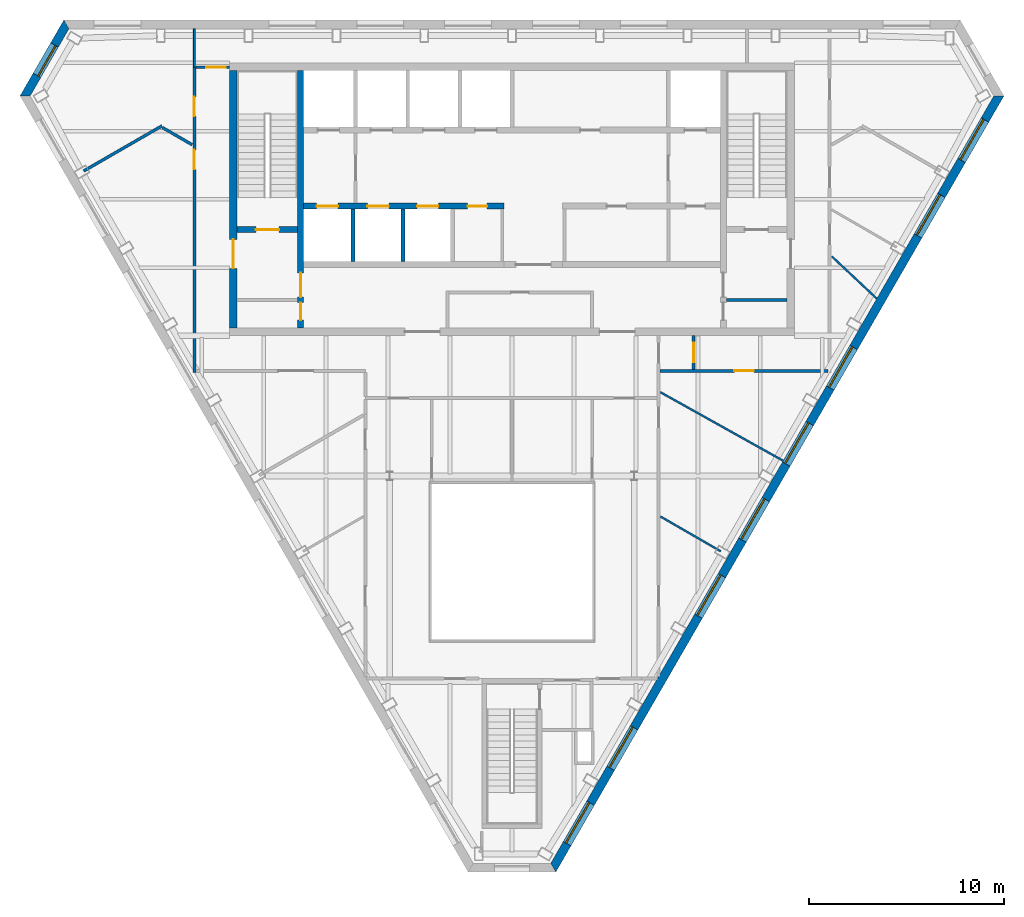
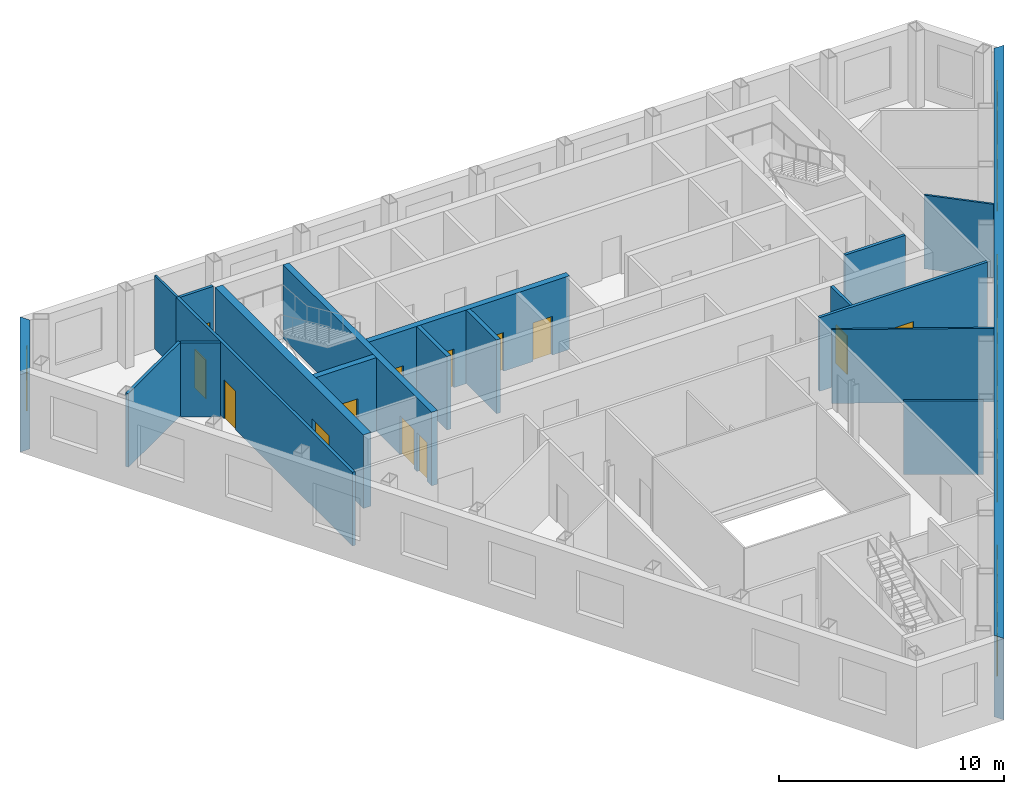
# One storey, part 6 of 11: 19 walls, 13 doors, 9 windows, 22 openings.
"""IFC4 building model written with IfcOpenShell, lengths in metres."""

from ifc_helpers import new_model, si_unit, direction, frame, frame_2d, origin, place, context, subcontext, project, spatial, polyline, rectangle, outline, extrude, material, layer, layer_set, type_object, element, fill, save


model = new_model("IFC4")

# Units and contexts
model_context = context("Model", 3, precision=1e-05, world=origin(), true_north=direction((0.0, 1.0)))
body_context = subcontext(model_context, "Body", "Model", "MODEL_VIEW")
ifc_project = project(units=[si_unit("LENGTHUNIT", "METRE"), si_unit("AREAUNIT", "SQUARE_METRE"), si_unit("VOLUMEUNIT", "CUBIC_METRE"), si_unit("PLANEANGLEUNIT", "RADIAN"), si_unit("MASSUNIT", "GRAM", prefix="KILO")], contexts=[model_context])

# Site, building, storey
site_placement = place(None, origin())
site = spatial("IfcSite", under=ifc_project, at=site_placement, CompositionType="ELEMENT")
building_placement = place(site_placement, origin())
building = spatial("IfcBuilding", under=site, at=building_placement, Name="Njiva Tower", CompositionType="ELEMENT")
storey_placement = place(building_placement, frame((0.0, 0.0, 316.8)))
storey = spatial("IfcBuildingStorey", under=building, at=storey_placement, Name="L72", CompositionType="ELEMENT", Elevation=316.8)

# Wall
ifc_material_1 = material(Name="Blockwork", Category="masonry")
ifc_layer_1 = layer(ifc_material_1, 0.15)
ifc_layer_set_1 = layer_set([ifc_layer_1], Name="Blockwork")
wall_type_1 = type_object("IfcWallType", Name="WT1 Compartment partition 150", PredefinedType="PARTITIONING", material=ifc_layer_set_1)
wall_1_placement = place(storey_placement, frame((11.0, 5.825, 0.0), z_axis=(0.0, 0.0, 1.0), x_axis=(1.0, 0.0, 0.0)))
element("IfcWall", 1, at=wall_1_placement, inside=storey, type_object=wall_type_1, Name="Room wall B", PredefinedType="PARTITIONING", context=body_context, shape_type="SweptSolid", body=[
    extrude(rectangle(XDim=3.1, YDim=0.15, at=frame_2d((1.55, 0.0))), origin(), (0.0, 0.0, 1.0), 4.0),
])

# Wall, openings, doors
ifc_material_2 = material(Name="Concrete C40/50", Category="concrete")
ifc_layer_2 = layer(ifc_material_2, 0.3)
ifc_layer_set_2 = layer_set([ifc_layer_2], Name="Concrete C40/50")
wall_type_2 = type_object("IfcWallType", Name="WT10 Stair enclosure wall 300", PredefinedType="SHEAR", material=ifc_layer_set_2)
wall_2_placement = place(storey_placement, frame((-10.85, 4.4, 0.0), z_axis=(0.0, 0.0, 1.0), x_axis=(0.0, 1.0, 0.0)))
wall_2 = element("IfcWall", 2, at=wall_2_placement, inside=storey, type_object=wall_type_2, Name="Stair wall west inner", PredefinedType="SHEAR", context=body_context, shape_type="SweptSolid", body=[
    extrude(rectangle(XDim=13.2, YDim=0.3, at=frame_2d((6.6, 0.0))), origin(), (0.0, 0.0, 1.0), 4.0),
])
opening_1_placement = place(wall_2_placement, frame((1.575, 0.0, 0.0)))
opening_1 = element("IfcOpeningElement", 3, at=opening_1_placement, cuts=wall_2, Name="Opening S24-D915", PredefinedType="OPENING", context=body_context, shape_type="SweptSolid", body=[
    extrude(rectangle(XDim=1.25, YDim=2.1, at=frame_2d((0.625, 1.05))), frame((0.0, 0.16, 0.0), z_axis=(0.0, -1.0, 0.0), x_axis=(1.0, 0.0, 0.0)), (0.0, 0.0, 1.0), 0.32),
])
opening_2_placement = place(wall_2_placement, frame((0.4, 0.0, 0.0)))
opening_2 = element("IfcOpeningElement", 4, at=opening_2_placement, cuts=wall_2, Name="Opening S24-D917", PredefinedType="OPENING", context=body_context, shape_type="SweptSolid", body=[
    extrude(rectangle(XDim=0.9, YDim=2.1, at=frame_2d((0.45, 1.05))), frame((0.0, 0.16, 0.0), z_axis=(0.0, -1.0, 0.0), x_axis=(1.0, 0.0, 0.0)), (0.0, 0.0, 1.0), 0.32),
])
ifc_material_3 = material(Name="Steel door, painted", Category="steel")
door_type_1 = type_object("IfcDoorType", Name="D13 Steel door 900x2100", OperationType="SINGLE_SWING_LEFT", PredefinedType="DOOR", material=ifc_material_3)
door_1_placement = place(opening_2_placement, origin())
door_1 = element("IfcDoor", 5, at=door_1_placement, inside=storey, type_object=door_type_1, Name="Breakout room door", OperationType="SINGLE_SWING_RIGHT", OverallHeight=2.1, OverallWidth=0.9, PredefinedType="DOOR", context=body_context, shape_type="SweptSolid", body=[
    extrude(rectangle(XDim=0.9, YDim=2.1, at=frame_2d((0.45, 1.05))), frame((0.0, 0.025, 0.0), z_axis=(0.0, -1.0, 0.0), x_axis=(1.0, 0.0, 0.0)), (0.0, 0.0, 1.0), 0.05),
])
fill(opening_2, door_1)
ifc_material_4 = material(Name="Glazed steel fire door", Category="steel")
door_type_2 = type_object("IfcDoorType", Name="D8 Vestibule corridor door 1250x2100 glazed", OperationType="SINGLE_SWING_LEFT", PredefinedType="DOOR", material=ifc_material_4)
door_2_placement = place(opening_1_placement, origin())
door_2 = element("IfcDoor", 6, at=door_2_placement, inside=storey, type_object=door_type_2, Name="Stair vestibule corridor door", OperationType="SINGLE_SWING_LEFT", OverallHeight=2.1, OverallWidth=1.25, PredefinedType="DOOR", context=body_context, shape_type="SweptSolid", body=[
    extrude(rectangle(XDim=1.25, YDim=2.1, at=frame_2d((0.625, 1.05))), frame((0.0, 0.025, 0.0), z_axis=(0.0, -1.0, 0.0), x_axis=(1.0, 0.0, 0.0)), (0.0, 0.0, 1.0), 0.05),
])
fill(opening_1, door_2)

# Wall, opening, door
wall_3_placement = place(storey_placement, frame((-14.1, 9.45, 0.0), z_axis=(0.0, 0.0, 1.0), x_axis=(1.0, 0.0, 0.0)))
wall_3 = element("IfcWall", 7, at=wall_3_placement, inside=storey, type_object=wall_type_2, Name="Stair A south wall", PredefinedType="SHEAR", context=body_context, shape_type="SweptSolid", body=[
    extrude(rectangle(XDim=3.1, YDim=0.3, at=frame_2d((1.55, 0.0))), origin(), (0.0, 0.0, 1.0), 4.0),
])
opening_3_placement = place(wall_3_placement, frame((0.95, 0.0, 0.0)))
opening_3 = element("IfcOpeningElement", 8, at=opening_3_placement, cuts=wall_3, Name="Opening S24-D914", PredefinedType="OPENING", context=body_context, shape_type="SweptSolid", body=[
    extrude(rectangle(XDim=1.2, YDim=2.1, at=frame_2d((0.6, 1.05))), frame((0.0, 0.16, 0.0), z_axis=(0.0, -1.0, 0.0), x_axis=(1.0, 0.0, 0.0)), (0.0, 0.0, 1.0), 0.32),
])
door_type_3 = type_object("IfcDoorType", Name="D7 Stair vestibule door 1200x2100 glazed", OperationType="SINGLE_SWING_LEFT", PredefinedType="DOOR", material=ifc_material_4)
door_3_placement = place(opening_3_placement, origin())
door_3 = element("IfcDoor", 9, at=door_3_placement, inside=storey, type_object=door_type_3, Name="Stair A door", OperationType="SINGLE_SWING_LEFT", OverallHeight=2.1, OverallWidth=1.2, PredefinedType="DOOR", context=body_context, shape_type="SweptSolid", body=[
    extrude(rectangle(XDim=1.2, YDim=2.1, at=frame_2d((0.6, 1.05))), frame((0.0, 0.025, 0.0), z_axis=(0.0, -1.0, 0.0), x_axis=(1.0, 0.0, 0.0)), (0.0, 0.0, 1.0), 0.05),
])
fill(opening_3, door_3)

ifc_material_5 = material(Name="Concrete C60/75", Category="concrete")
ifc_layer_3 = layer(ifc_material_5, 0.4)
ifc_layer_set_3 = layer_set([ifc_layer_3], Name="Concrete C60/75")
wall_type_3 = type_object("IfcWallType", Name="WT11 Core wall 400", PredefinedType="SHEAR", material=ifc_layer_set_3)
wall_4_placement = place(storey_placement, frame((-14.3, 4.4, 0.0), z_axis=(0.0, 0.0, 1.0), x_axis=(0.0, 1.0, 0.0)))
wall_4 = element("IfcWall", 10, at=wall_4_placement, inside=storey, type_object=wall_type_3, Name="Core wall west", PredefinedType="SHEAR", context=body_context, shape_type="SweptSolid", body=[
    extrude(rectangle(XDim=13.2, YDim=0.4, at=frame_2d((6.6, 0.0))), origin(), (0.0, 0.0, 1.0), 4.0),
])
opening_4_placement = place(wall_4_placement, frame((3.05, 0.0, 0.0)))
opening_4 = element("IfcOpeningElement", 11, at=opening_4_placement, cuts=wall_4, Name="Opening S24-D916", PredefinedType="OPENING", context=body_context, shape_type="SweptSolid", body=[
    extrude(rectangle(XDim=1.5, YDim=2.1, at=frame_2d((0.75, 1.05))), frame((0.0, 0.21, 0.0), z_axis=(0.0, -1.0, 0.0), x_axis=(1.0, 0.0, 0.0)), (0.0, 0.0, 1.0), 0.42),
])
door_type_4 = type_object("IfcDoorType", Name="D10 Exit door double 1500x2100 glazed", OperationType="DOUBLE_DOOR_SINGLE_SWING", PredefinedType="DOOR", material=ifc_material_4)
door_4_placement = place(opening_4_placement, origin())
door_4 = element("IfcDoor", 12, at=door_4_placement, inside=storey, type_object=door_type_4, Name="Stair A corridor door", OperationType="DOUBLE_DOOR_SINGLE_SWING", OverallHeight=2.1, OverallWidth=1.5, PredefinedType="DOOR", context=body_context, shape_type="SweptSolid", body=[
    extrude(rectangle(XDim=1.5, YDim=2.1, at=frame_2d((0.75, 1.05))), frame((0.0, 0.025, 0.0), z_axis=(0.0, -1.0, 0.0), x_axis=(1.0, 0.0, 0.0)), (0.0, 0.0, 1.0), 0.05),
])
fill(opening_4, door_4)

# Walls
ifc_material_6 = material(Name="Gypsum board on steel studs", Category="gypsum")
ifc_layer_4 = layer(ifc_material_6, 0.1)
ifc_layer_set_4 = layer_set([ifc_layer_4], Name="Gypsum board on steel studs")
wall_type_4 = type_object("IfcWallType", Name="WT20 Gypsum partition 100", PredefinedType="PARTITIONING", material=ifc_layer_set_4)
wall_5_placement = place(storey_placement, frame((-16.3, 17.788, 0.0), z_axis=(0.0, 0.0, 1.0), x_axis=(0.0, 1.0, 0.0)))
element("IfcWall", 13, at=wall_5_placement, inside=storey, type_object=wall_type_4, Name="Partition S24-P004", PredefinedType="PARTITIONING", context=body_context, shape_type="SweptSolid", body=[
    extrude(rectangle(XDim=1.96, YDim=0.1, at=frame_2d((0.98, 0.0))), origin(), (0.0, 0.0, 1.0), 4.0),
])
wall_6_placement = place(storey_placement, frame((7.619, 1.099, 0.0), z_axis=(0.0, 0.0, 1.0), x_axis=(0.873148302033, -0.487454657026, 0.0)))
element("IfcWall", 14, at=wall_6_placement, inside=storey, type_object=wall_type_4, Name="Partition S24-P022", PredefinedType="PARTITIONING", context=body_context, shape_type="SweptSolid", body=[
    extrude(rectangle(XDim=7.213, YDim=0.1, at=frame_2d((3.6065, 0.0))), origin(), (0.0, 0.0, 1.0), 4.0),
])
wall_7_placement = place(storey_placement, frame((7.62, -5.278, 0.0), z_axis=(0.0, 0.0, 1.0), x_axis=(0.866134332687, -0.499811282126, 0.0)))
element("IfcWall", 15, at=wall_7_placement, inside=storey, type_object=wall_type_4, Name="Partition S24-P023", PredefinedType="PARTITIONING", context=body_context, shape_type="SweptSolid", body=[
    extrude(rectangle(XDim=3.5733, YDim=0.1, at=frame_2d((1.7866, 0.0))), origin(), (0.0, 0.0, 1.0), 4.0),
])
wall_8_placement = place(storey_placement, frame((16.409, 8.073, 0.0), z_axis=(0.0, 0.0, 1.0), x_axis=(0.729143686078, -0.684360639614, 0.0)))
element("IfcWall", 16, at=wall_8_placement, inside=storey, type_object=wall_type_4, Name="Partition S24-P028", PredefinedType="PARTITIONING", context=body_context, shape_type="SweptSolid", body=[
    extrude(rectangle(XDim=3.1708, YDim=0.1, at=frame_2d((1.5854, 0.0))), origin(), (0.0, 0.0, 1.0), 4.0),
])
ifc_layer_5 = layer(ifc_material_6, 0.15)
ifc_layer_set_5 = layer_set([ifc_layer_5], Name="Gypsum board on steel studs")
wall_type_5 = type_object("IfcWallType", Name="WT21 Compartment wall 150", PredefinedType="PARTITIONING", material=ifc_layer_set_5)
wall_9_placement = place(storey_placement, frame((-21.982, 12.451, 0.0), z_axis=(0.0, 0.0, 1.0), x_axis=(0.866260894491, 0.499591896127, 0.0)))
element("IfcWall", 17, at=wall_9_placement, inside=storey, type_object=wall_type_5, Name="Partition S24-P001", PredefinedType="PARTITIONING", context=body_context, shape_type="SweptSolid", body=[
    extrude(rectangle(XDim=4.6418, YDim=0.15, at=frame_2d((2.3209, 0.0))), origin(), (0.0, 0.0, 1.0), 4.0),
])
wall_10_placement = place(storey_placement, frame((-17.937, 14.682, 0.0), z_axis=(0.0, 0.0, 1.0), x_axis=(0.866138304741, -0.499804398801, 0.0)))
element("IfcWall", 18, at=wall_10_placement, inside=storey, type_object=wall_type_5, Name="Partition S24-P002", PredefinedType="PARTITIONING", context=body_context, shape_type="SweptSolid", body=[
    extrude(rectangle(XDim=1.7607, YDim=0.15, at=frame_2d((0.8804, 0.0))), origin(), (0.0, 0.0, 1.0), 4.0),
])

# Wall, openings, doors
wall_11_placement = place(storey_placement, frame((-16.3, 2.125, 0.0), z_axis=(0.0, 0.0, 1.0), x_axis=(0.0, 1.0, 0.0)))
wall_11 = element("IfcWall", 19, at=wall_11_placement, inside=storey, type_object=wall_type_5, Name="Partition S24-P003", PredefinedType="PARTITIONING", context=body_context, shape_type="SweptSolid", body=[
    extrude(rectangle(XDim=15.663, YDim=0.15, at=frame_2d((7.8315, 0.0))), origin(), (0.0, 0.0, 1.0), 4.0),
])
opening_5_placement = place(wall_11_placement, frame((10.41, 0.0, 0.0)))
opening_5 = element("IfcOpeningElement", 20, at=opening_5_placement, cuts=wall_11, Name="Opening S24-D001", PredefinedType="OPENING", context=body_context, shape_type="SweptSolid", body=[
    extrude(rectangle(XDim=1.0, YDim=2.1, at=frame_2d((0.5, 1.05))), frame((0.0, 0.085, 0.0), z_axis=(0.0, -1.0, 0.0), x_axis=(1.0, 0.0, 0.0)), (0.0, 0.0, 1.0), 0.17),
])
opening_6_placement = place(wall_11_placement, frame((13.138, 0.0, 0.0)))
opening_6 = element("IfcOpeningElement", 21, at=opening_6_placement, cuts=wall_11, Name="Opening S24-D002", PredefinedType="OPENING", context=body_context, shape_type="SweptSolid", body=[
    extrude(rectangle(XDim=1.0, YDim=2.1, at=frame_2d((0.5, 1.05))), frame((0.0, 0.085, 0.0), z_axis=(0.0, -1.0, 0.0), x_axis=(1.0, 0.0, 0.0)), (0.0, 0.0, 1.0), 0.17),
])
ifc_material_7 = material(Name="Steel fire door set", Category="steel")
door_type_5 = type_object("IfcDoorType", Name="D37 Fire door 1000x2100", OperationType="SINGLE_SWING_LEFT", PredefinedType="DOOR", material=ifc_material_7)
door_5_placement = place(opening_5_placement, origin())
door_5 = element("IfcDoor", 22, at=door_5_placement, inside=storey, type_object=door_type_5, Name="Door S24-D001", OperationType="SINGLE_SWING_RIGHT", OverallHeight=2.1, OverallWidth=1.0, PredefinedType="DOOR", context=body_context, shape_type="SweptSolid", body=[
    extrude(rectangle(XDim=1.0, YDim=2.1, at=frame_2d((0.5, 1.05))), frame((0.0, 0.025, 0.0), z_axis=(0.0, -1.0, 0.0), x_axis=(1.0, 0.0, 0.0)), (0.0, 0.0, 1.0), 0.05),
])
fill(opening_5, door_5)
door_6_placement = place(opening_6_placement, origin())
door_6 = element("IfcDoor", 23, at=door_6_placement, inside=storey, type_object=door_type_5, Name="Door S24-D002", OperationType="SINGLE_SWING_LEFT", OverallHeight=2.1, OverallWidth=1.0, PredefinedType="DOOR", context=body_context, shape_type="SweptSolid", body=[
    extrude(rectangle(XDim=1.0, YDim=2.1, at=frame_2d((0.5, 1.05))), frame((0.0, 0.025, 0.0), z_axis=(0.0, -1.0, 0.0), x_axis=(1.0, 0.0, 0.0)), (0.0, 0.0, 1.0), 0.05),
])
fill(opening_6, door_6)

# Wall, opening, door
wall_12_placement = place(storey_placement, frame((-16.225, 17.776, 0.0), z_axis=(0.0, 0.0, 1.0), x_axis=(1.0, 0.0, 0.0)))
wall_12 = element("IfcWall", 24, at=wall_12_placement, inside=storey, type_object=wall_type_5, Name="Partition S24-P006", PredefinedType="PARTITIONING", context=body_context, shape_type="SweptSolid", body=[
    extrude(rectangle(XDim=1.725, YDim=0.15, at=frame_2d((0.8625, 0.0))), origin(), (0.0, 0.0, 1.0), 4.0),
])
opening_7_placement = place(wall_12_placement, frame((0.525, 0.0, 0.0)))
opening_7 = element("IfcOpeningElement", 25, at=opening_7_placement, cuts=wall_12, Name="Opening S24-D004", PredefinedType="OPENING", context=body_context, shape_type="SweptSolid", body=[
    extrude(rectangle(XDim=1.0, YDim=2.1, at=frame_2d((0.5, 1.05))), frame((0.0, 0.085, 0.0), z_axis=(0.0, -1.0, 0.0), x_axis=(1.0, 0.0, 0.0)), (0.0, 0.0, 1.0), 0.17),
])
door_7_placement = place(opening_7_placement, origin())
door_7 = element("IfcDoor", 26, at=door_7_placement, inside=storey, type_object=door_type_5, Name="Door S24-D004", OperationType="SINGLE_SWING_LEFT", OverallHeight=2.1, OverallWidth=1.0, PredefinedType="DOOR", context=body_context, shape_type="SweptSolid", body=[
    extrude(rectangle(XDim=1.0, YDim=2.1, at=frame_2d((0.5, 1.05))), frame((0.0, 0.025, 0.0), z_axis=(0.0, -1.0, 0.0), x_axis=(1.0, 0.0, 0.0)), (0.0, 0.0, 1.0), 0.05),
])
fill(opening_7, door_7)

wall_13_placement = place(storey_placement, frame((7.595, 2.2, 0.0), z_axis=(0.0, 0.0, 1.0), x_axis=(1.0, 0.0, 0.0)))
wall_13 = element("IfcWall", 27, at=wall_13_placement, inside=storey, type_object=wall_type_5, Name="Partition S24-P021", PredefinedType="PARTITIONING", context=body_context, shape_type="SweptSolid", body=[
    extrude(rectangle(XDim=8.63, YDim=0.15, at=frame_2d((4.315, 0.0))), origin(), (0.0, 0.0, 1.0), 4.0),
])
opening_8_placement = place(wall_13_placement, frame((3.815, 0.0, 0.0)))
opening_8 = element("IfcOpeningElement", 28, at=opening_8_placement, cuts=wall_13, Name="Opening S24-D016", PredefinedType="OPENING", context=body_context, shape_type="SweptSolid", body=[
    extrude(rectangle(XDim=1.0, YDim=2.1, at=frame_2d((0.5, 1.05))), frame((0.0, 0.085, 0.0), z_axis=(0.0, -1.0, 0.0), x_axis=(1.0, 0.0, 0.0)), (0.0, 0.0, 1.0), 0.17),
])
door_8_placement = place(opening_8_placement, origin())
door_8 = element("IfcDoor", 29, at=door_8_placement, inside=storey, type_object=door_type_5, Name="Door S24-D016", OperationType="SINGLE_SWING_LEFT", OverallHeight=2.1, OverallWidth=1.0, PredefinedType="DOOR", context=body_context, shape_type="SweptSolid", body=[
    extrude(rectangle(XDim=1.0, YDim=2.1, at=frame_2d((0.5, 1.05))), frame((0.0, 0.025, 0.0), z_axis=(0.0, -1.0, 0.0), x_axis=(1.0, 0.0, 0.0)), (0.0, 0.0, 1.0), 0.05),
])
fill(opening_8, door_8)

wall_14_placement = place(storey_placement, frame((9.32, 2.275, 0.0), z_axis=(0.0, 0.0, 1.0), x_axis=(0.0, 1.0, 0.0)))
wall_14 = element("IfcWall", 30, at=wall_14_placement, inside=storey, type_object=wall_type_5, Name="Partition S24-P024", PredefinedType="PARTITIONING", context=body_context, shape_type="SweptSolid", body=[
    extrude(rectangle(XDim=1.725, YDim=0.15, at=frame_2d((0.8625, 0.0))), origin(), (0.0, 0.0, 1.0), 4.0),
])
opening_9_placement = place(wall_14_placement, frame((0.362, 0.0, 0.0)))
opening_9 = element("IfcOpeningElement", 31, at=opening_9_placement, cuts=wall_14, Name="Opening S24-D017", PredefinedType="OPENING", context=body_context, shape_type="SweptSolid", body=[
    extrude(rectangle(XDim=1.0, YDim=2.1, at=frame_2d((0.5, 1.05))), frame((0.0, 0.085, 0.0), z_axis=(0.0, -1.0, 0.0), x_axis=(1.0, 0.0, 0.0)), (0.0, 0.0, 1.0), 0.17),
])
door_9_placement = place(opening_9_placement, origin())
door_9 = element("IfcDoor", 32, at=door_9_placement, inside=storey, type_object=door_type_5, Name="Door S24-D017", OperationType="SINGLE_SWING_LEFT", OverallHeight=2.1, OverallWidth=1.0, PredefinedType="DOOR", context=body_context, shape_type="SweptSolid", body=[
    extrude(rectangle(XDim=1.0, YDim=2.1, at=frame_2d((0.5, 1.05))), frame((0.0, 0.025, 0.0), z_axis=(0.0, -1.0, 0.0), x_axis=(1.0, 0.0, 0.0)), (0.0, 0.0, 1.0), 0.05),
])
fill(opening_9, door_9)

# Walls
ifc_layer_6 = layer(ifc_material_2, 0.2)
ifc_layer_set_6 = layer_set([ifc_layer_6], Name="Concrete C40/50")
wall_type_6 = type_object("IfcWallType", Name="WT6 Lift shaft wall 200", PredefinedType="SHEAR", material=ifc_layer_set_6)
for number, where, z_axis, x_axis, name in (
    (33, (-8.15, 7.8, 0.0), (0.0, 0.0, 1.0), (0.0, 1.0, 0.0), "Shaft wall CS1"),
    (34, (-5.6, 7.8, 0.0), (0.0, 0.0, 1.0), (0.0, 1.0, 0.0), "Shaft wall CS2"),
):
    element("IfcWall", number, at=place(storey_placement, frame(where, z_axis=z_axis, x_axis=x_axis)), inside=storey, type_object=wall_type_6, Name=name, PredefinedType="SHEAR", context=body_context, shape_type="SweptSolid", body=[
        extrude(rectangle(XDim=2.7, YDim=0.2, at=frame_2d((1.35, 0.0))), origin(), (0.0, 0.0, 1.0), 4.0),
    ])

# Wall, openings, doors
ifc_layer_7 = layer(ifc_material_2, 0.3)
ifc_layer_set_7 = layer_set([ifc_layer_7], Name="Concrete C40/50")
wall_type_7 = type_object("IfcWallType", Name="WT7 Lift shaft wall 300", PredefinedType="SHEAR", material=ifc_layer_set_7)
wall_15_placement = place(storey_placement, frame((-10.7, 10.65, 0.0), z_axis=(0.0, 0.0, 1.0), x_axis=(1.0, 0.0, 0.0)))
wall_15 = element("IfcWall", 35, at=wall_15_placement, inside=storey, type_object=wall_type_7, Name="Shaft wall south row lobby side W", PredefinedType="SHEAR", context=body_context, shape_type="SweptSolid", body=[
    extrude(rectangle(XDim=10.3, YDim=0.3, at=frame_2d((5.15, 0.0))), origin(), (0.0, 0.0, 1.0), 4.0),
])
opening_10_placement = place(wall_15_placement, frame((0.675, 0.0, 0.0)))
opening_10 = element("IfcOpeningElement", 36, at=opening_10_placement, cuts=wall_15, Name="Opening S24-D906", PredefinedType="OPENING", context=body_context, shape_type="SweptSolid", body=[
    extrude(rectangle(XDim=1.1, YDim=2.1, at=frame_2d((0.55, 1.05))), frame((0.0, 0.16, 0.0), z_axis=(0.0, -1.0, 0.0), x_axis=(1.0, 0.0, 0.0)), (0.0, 0.0, 1.0), 0.32),
])
opening_11_placement = place(wall_15_placement, frame((3.275, 0.0, 0.0)))
opening_11 = element("IfcOpeningElement", 37, at=opening_11_placement, cuts=wall_15, Name="Opening S24-D907", PredefinedType="OPENING", context=body_context, shape_type="SweptSolid", body=[
    extrude(rectangle(XDim=1.1, YDim=2.1, at=frame_2d((0.55, 1.05))), frame((0.0, 0.16, 0.0), z_axis=(0.0, -1.0, 0.0), x_axis=(1.0, 0.0, 0.0)), (0.0, 0.0, 1.0), 0.32),
])
opening_12_placement = place(wall_15_placement, frame((5.825, 0.0, 0.0)))
opening_12 = element("IfcOpeningElement", 38, at=opening_12_placement, cuts=wall_15, Name="Opening S24-D908", PredefinedType="OPENING", context=body_context, shape_type="SweptSolid", body=[
    extrude(rectangle(XDim=1.1, YDim=2.1, at=frame_2d((0.55, 1.05))), frame((0.0, 0.16, 0.0), z_axis=(0.0, -1.0, 0.0), x_axis=(1.0, 0.0, 0.0)), (0.0, 0.0, 1.0), 0.32),
])
opening_13_placement = place(wall_15_placement, frame((8.425, 0.0, 0.0)))
opening_13 = element("IfcOpeningElement", 39, at=opening_13_placement, cuts=wall_15, Name="Opening S24-D910", PredefinedType="OPENING", context=body_context, shape_type="SweptSolid", body=[
    extrude(rectangle(XDim=1.0, YDim=2.1, at=frame_2d((0.5, 1.05))), frame((0.0, 0.16, 0.0), z_axis=(0.0, -1.0, 0.0), x_axis=(1.0, 0.0, 0.0)), (0.0, 0.0, 1.0), 0.32),
])
door_type_6 = type_object("IfcDoorType", Name="D5 Steel door 1000x2100", OperationType="SINGLE_SWING_LEFT", PredefinedType="DOOR", material=ifc_material_3)
door_10_placement = place(opening_13_placement, origin())
door_10 = element("IfcDoor", 40, at=door_10_placement, inside=storey, type_object=door_type_6, Name="First aid room door", OperationType="SINGLE_SWING_RIGHT", OverallHeight=2.1, OverallWidth=1.0, PredefinedType="DOOR", context=body_context, shape_type="SweptSolid", body=[
    extrude(rectangle(XDim=1.0, YDim=2.1, at=frame_2d((0.5, 1.05))), frame((0.0, 0.025, 0.0), z_axis=(0.0, -1.0, 0.0), x_axis=(1.0, 0.0, 0.0)), (0.0, 0.0, 1.0), 0.05),
])
fill(opening_13, door_10)
ifc_material_8 = material(Name="Stainless steel sliding door", Category="steel")
door_type_7 = type_object("IfcDoorType", Name="LD Lift landing door 1100x2100", OperationType="SLIDING_TO_LEFT", PredefinedType="DOOR", material=ifc_material_8)
door_11_placement = place(opening_10_placement, origin())
door_11 = element("IfcDoor", 41, at=door_11_placement, inside=storey, type_object=door_type_7, Name="Lift landing door HB1", OperationType="SLIDING_TO_LEFT", OverallHeight=2.1, OverallWidth=1.1, PredefinedType="DOOR", context=body_context, shape_type="SweptSolid", body=[
    extrude(rectangle(XDim=1.1, YDim=2.1, at=frame_2d((0.55, 1.05))), frame((0.0, 0.025, 0.0), z_axis=(0.0, -1.0, 0.0), x_axis=(1.0, 0.0, 0.0)), (0.0, 0.0, 1.0), 0.05),
])
fill(opening_10, door_11)
door_12_placement = place(opening_11_placement, origin())
door_12 = element("IfcDoor", 42, at=door_12_placement, inside=storey, type_object=door_type_7, Name="Lift landing door HB2", OperationType="SLIDING_TO_LEFT", OverallHeight=2.1, OverallWidth=1.1, PredefinedType="DOOR", context=body_context, shape_type="SweptSolid", body=[
    extrude(rectangle(XDim=1.1, YDim=2.1, at=frame_2d((0.55, 1.05))), frame((0.0, 0.025, 0.0), z_axis=(0.0, -1.0, 0.0), x_axis=(1.0, 0.0, 0.0)), (0.0, 0.0, 1.0), 0.05),
])
fill(opening_11, door_12)
door_13_placement = place(opening_12_placement, origin())
door_13 = element("IfcDoor", 43, at=door_13_placement, inside=storey, type_object=door_type_7, Name="Lift landing door HB3", OperationType="SLIDING_TO_LEFT", OverallHeight=2.1, OverallWidth=1.1, PredefinedType="DOOR", context=body_context, shape_type="SweptSolid", body=[
    extrude(rectangle(XDim=1.1, YDim=2.1, at=frame_2d((0.55, 1.05))), frame((0.0, 0.025, 0.0), z_axis=(0.0, -1.0, 0.0), x_axis=(1.0, 0.0, 0.0)), (0.0, 0.0, 1.0), 0.05),
])
fill(opening_12, door_13)

# Wall, openings, windows
ifc_material_9 = material(Name="Brick masonry", Category="masonry")
ifc_layer_8 = layer(ifc_material_9, 0.45)
ifc_layer_set_8 = layer_set([ifc_layer_8], Name="Brick masonry")
wall_type_8 = type_object("IfcWallType", Name="WT90 Brick pier and spandrel wall 450", PredefinedType="SOLIDWALL", material=ifc_layer_set_8)
wall_16_placement = place(storey_placement, frame((2.1201, -23.3006, -0.4), z_axis=(0.0, 0.0, 1.0), x_axis=(0.500000141277, 0.866025322218, 0.0)))
wall_16 = element("IfcWall", 44, at=wall_16_placement, inside=storey, type_object=wall_type_8, Name="Facade wall SE", PredefinedType="SOLIDWALL", context=body_context, shape_type="SweptSolid", body=[
    extrude(outline(polyline([(-0.1299, -0.225), (45.8601, -0.225), (45.6003, 0.225), (0.1299, 0.225), (-0.1299, -0.225)])), origin(), (0.0, 0.0, 1.0), 4.42),
])
opening_14_placement = place(wall_16_placement, frame((1.4237, 0.0, 1.3)))
opening_14 = element("IfcOpeningElement", 45, at=opening_14_placement, cuts=wall_16, Name="Opening S24-W19", PredefinedType="OPENING", context=body_context, shape_type="SweptSolid", body=[
    extrude(rectangle(XDim=2.4, YDim=2.3, at=frame_2d((1.2, 1.15))), frame((0.0, 0.235, 0.0), z_axis=(0.0, -1.0, 0.0), x_axis=(1.0, 0.0, 0.0)), (0.0, 0.0, 1.0), 0.47),
])
opening_15_placement = place(wall_16_placement, frame((5.8919, 0.0, 1.3)))
opening_15 = element("IfcOpeningElement", 46, at=opening_15_placement, cuts=wall_16, Name="Opening S24-W20", PredefinedType="OPENING", context=body_context, shape_type="SweptSolid", body=[
    extrude(rectangle(XDim=2.4, YDim=2.3, at=frame_2d((1.2, 1.15))), frame((0.0, 0.235, 0.0), z_axis=(0.0, -1.0, 0.0), x_axis=(1.0, 0.0, 0.0)), (0.0, 0.0, 1.0), 0.47),
])
opening_16_placement = place(wall_16_placement, frame((14.9052, 0.0, 1.3)))
opening_16 = element("IfcOpeningElement", 47, at=opening_16_placement, cuts=wall_16, Name="Opening S24-W21", PredefinedType="OPENING", context=body_context, shape_type="SweptSolid", body=[
    extrude(rectangle(XDim=2.4, YDim=2.3, at=frame_2d((1.2, 1.15))), frame((0.0, 0.235, 0.0), z_axis=(0.0, -1.0, 0.0), x_axis=(1.0, 0.0, 0.0)), (0.0, 0.0, 1.0), 0.47),
])
opening_17_placement = place(wall_16_placement, frame((19.4118, 0.0, 1.3)))
opening_17 = element("IfcOpeningElement", 48, at=opening_17_placement, cuts=wall_16, Name="Opening S24-W22", PredefinedType="OPENING", context=body_context, shape_type="SweptSolid", body=[
    extrude(rectangle(XDim=2.4, YDim=2.3, at=frame_2d((1.2, 1.15))), frame((0.0, 0.235, 0.0), z_axis=(0.0, -1.0, 0.0), x_axis=(1.0, 0.0, 0.0)), (0.0, 0.0, 1.0), 0.47),
])
opening_18_placement = place(wall_16_placement, frame((23.9184, 0.0, 1.3)))
opening_18 = element("IfcOpeningElement", 49, at=opening_18_placement, cuts=wall_16, Name="Opening S24-W23", PredefinedType="OPENING", context=body_context, shape_type="SweptSolid", body=[
    extrude(rectangle(XDim=2.4, YDim=2.3, at=frame_2d((1.2, 1.15))), frame((0.0, 0.235, 0.0), z_axis=(0.0, -1.0, 0.0), x_axis=(1.0, 0.0, 0.0)), (0.0, 0.0, 1.0), 0.47),
])
opening_19_placement = place(wall_16_placement, frame((28.425, 0.0, 1.3)))
opening_19 = element("IfcOpeningElement", 50, at=opening_19_placement, cuts=wall_16, Name="Opening S24-W24", PredefinedType="OPENING", context=body_context, shape_type="SweptSolid", body=[
    extrude(rectangle(XDim=2.4, YDim=2.3, at=frame_2d((1.2, 1.15))), frame((0.0, 0.235, 0.0), z_axis=(0.0, -1.0, 0.0), x_axis=(1.0, 0.0, 0.0)), (0.0, 0.0, 1.0), 0.47),
])
opening_20_placement = place(wall_16_placement, frame((37.4383, 0.0, 1.3)))
opening_20 = element("IfcOpeningElement", 51, at=opening_20_placement, cuts=wall_16, Name="Opening S24-W25", PredefinedType="OPENING", context=body_context, shape_type="SweptSolid", body=[
    extrude(rectangle(XDim=2.4, YDim=2.3, at=frame_2d((1.2, 1.15))), frame((0.0, 0.235, 0.0), z_axis=(0.0, -1.0, 0.0), x_axis=(1.0, 0.0, 0.0)), (0.0, 0.0, 1.0), 0.47),
])
opening_21_placement = place(wall_16_placement, frame((41.9065, 0.0, 1.3)))
opening_21 = element("IfcOpeningElement", 52, at=opening_21_placement, cuts=wall_16, Name="Opening S24-W26", PredefinedType="OPENING", context=body_context, shape_type="SweptSolid", body=[
    extrude(rectangle(XDim=2.4, YDim=2.3, at=frame_2d((1.2, 1.15))), frame((0.0, 0.235, 0.0), z_axis=(0.0, -1.0, 0.0), x_axis=(1.0, 0.0, 0.0)), (0.0, 0.0, 1.0), 0.47),
])
ifc_material_10 = material(Name="Clear glazing in aluminium frame", Category="aluminium")
window_type_1 = type_object("IfcWindowType", Name="W91 Deep-set window 2400x2300", PartitioningType="SINGLE_PANEL", PredefinedType="WINDOW", material=ifc_material_10)
window_1_placement = place(opening_14_placement, origin())
window_1 = element("IfcWindow", 53, at=window_1_placement, inside=storey, type_object=window_type_1, Name="Window", OverallHeight=2.3, OverallWidth=2.4, PartitioningType="SINGLE_PANEL", PredefinedType="WINDOW", context=body_context, shape_type="SweptSolid", body=[
    extrude(rectangle(XDim=2.4, YDim=2.3, at=frame_2d((1.2, 1.15))), frame((0.0, 0.105, 0.0), z_axis=(0.0, -1.0, 0.0), x_axis=(1.0, 0.0, 0.0)), (0.0, 0.0, 1.0), 0.06),
])
fill(opening_14, window_1)
window_2_placement = place(opening_15_placement, origin())
window_2 = element("IfcWindow", 54, at=window_2_placement, inside=storey, type_object=window_type_1, Name="Window", OverallHeight=2.3, OverallWidth=2.4, PartitioningType="SINGLE_PANEL", PredefinedType="WINDOW", context=body_context, shape_type="SweptSolid", body=[
    extrude(rectangle(XDim=2.4, YDim=2.3, at=frame_2d((1.2, 1.15))), frame((0.0, 0.105, 0.0), z_axis=(0.0, -1.0, 0.0), x_axis=(1.0, 0.0, 0.0)), (0.0, 0.0, 1.0), 0.06),
])
fill(opening_15, window_2)
window_3_placement = place(opening_16_placement, origin())
window_3 = element("IfcWindow", 55, at=window_3_placement, inside=storey, type_object=window_type_1, Name="Window", OverallHeight=2.3, OverallWidth=2.4, PartitioningType="SINGLE_PANEL", PredefinedType="WINDOW", context=body_context, shape_type="SweptSolid", body=[
    extrude(rectangle(XDim=2.4, YDim=2.3, at=frame_2d((1.2, 1.15))), frame((0.0, 0.105, 0.0), z_axis=(0.0, -1.0, 0.0), x_axis=(1.0, 0.0, 0.0)), (0.0, 0.0, 1.0), 0.06),
])
fill(opening_16, window_3)
window_4_placement = place(opening_17_placement, origin())
window_4 = element("IfcWindow", 56, at=window_4_placement, inside=storey, type_object=window_type_1, Name="Window", OverallHeight=2.3, OverallWidth=2.4, PartitioningType="SINGLE_PANEL", PredefinedType="WINDOW", context=body_context, shape_type="SweptSolid", body=[
    extrude(rectangle(XDim=2.4, YDim=2.3, at=frame_2d((1.2, 1.15))), frame((0.0, 0.105, 0.0), z_axis=(0.0, -1.0, 0.0), x_axis=(1.0, 0.0, 0.0)), (0.0, 0.0, 1.0), 0.06),
])
fill(opening_17, window_4)
window_5_placement = place(opening_18_placement, origin())
window_5 = element("IfcWindow", 57, at=window_5_placement, inside=storey, type_object=window_type_1, Name="Window", OverallHeight=2.3, OverallWidth=2.4, PartitioningType="SINGLE_PANEL", PredefinedType="WINDOW", context=body_context, shape_type="SweptSolid", body=[
    extrude(rectangle(XDim=2.4, YDim=2.3, at=frame_2d((1.2, 1.15))), frame((0.0, 0.105, 0.0), z_axis=(0.0, -1.0, 0.0), x_axis=(1.0, 0.0, 0.0)), (0.0, 0.0, 1.0), 0.06),
])
fill(opening_18, window_5)
window_6_placement = place(opening_19_placement, origin())
window_6 = element("IfcWindow", 58, at=window_6_placement, inside=storey, type_object=window_type_1, Name="Window", OverallHeight=2.3, OverallWidth=2.4, PartitioningType="SINGLE_PANEL", PredefinedType="WINDOW", context=body_context, shape_type="SweptSolid", body=[
    extrude(rectangle(XDim=2.4, YDim=2.3, at=frame_2d((1.2, 1.15))), frame((0.0, 0.105, 0.0), z_axis=(0.0, -1.0, 0.0), x_axis=(1.0, 0.0, 0.0)), (0.0, 0.0, 1.0), 0.06),
])
fill(opening_19, window_6)
window_7_placement = place(opening_20_placement, origin())
window_7 = element("IfcWindow", 59, at=window_7_placement, inside=storey, type_object=window_type_1, Name="Window", OverallHeight=2.3, OverallWidth=2.4, PartitioningType="SINGLE_PANEL", PredefinedType="WINDOW", context=body_context, shape_type="SweptSolid", body=[
    extrude(rectangle(XDim=2.4, YDim=2.3, at=frame_2d((1.2, 1.15))), frame((0.0, 0.105, 0.0), z_axis=(0.0, -1.0, 0.0), x_axis=(1.0, 0.0, 0.0)), (0.0, 0.0, 1.0), 0.06),
])
fill(opening_20, window_7)
window_8_placement = place(opening_21_placement, origin())
window_8 = element("IfcWindow", 60, at=window_8_placement, inside=storey, type_object=window_type_1, Name="Window", OverallHeight=2.3, OverallWidth=2.4, PartitioningType="SINGLE_PANEL", PredefinedType="WINDOW", context=body_context, shape_type="SweptSolid", body=[
    extrude(rectangle(XDim=2.4, YDim=2.3, at=frame_2d((1.2, 1.15))), frame((0.0, 0.105, 0.0), z_axis=(0.0, -1.0, 0.0), x_axis=(1.0, 0.0, 0.0)), (0.0, 0.0, 1.0), 0.06),
])
fill(opening_21, window_8)

# Wall, opening, window
ifc_material_11 = material(Name="Brick masonry, buff", Category="masonry")
ifc_layer_9 = layer(ifc_material_11, 0.45)
ifc_layer_set_9 = layer_set([ifc_layer_9], Name="Brick masonry, buff")
wall_type_9 = type_object("IfcWallType", Name="WT94 Brick pier and spandrel wall 450, buff", PredefinedType="SOLIDWALL", material=ifc_layer_set_9)
wall_17_placement = place(storey_placement, frame((-22.8688, 19.9772, -0.4), z_axis=(0.0, 0.0, 1.0), x_axis=(-0.500002136082, -0.866024170514, 0.0)))
wall_17 = element("IfcWall", 61, at=wall_17_placement, inside=storey, type_object=wall_type_9, Name="Facade wall NW", PredefinedType="SOLIDWALL", context=body_context, shape_type="SweptSolid", body=[
    extrude(outline(polyline([(-0.1299, -0.225), (4.3701, -0.225), (4.1103, 0.225), (0.1299, 0.225), (-0.1299, -0.225)])), origin(), (0.0, 0.0, 1.0), 4.2),
])
opening_22_placement = place(wall_17_placement, frame((1.2201, 0.0, 1.3)))
opening_22 = element("IfcOpeningElement", 62, at=opening_22_placement, cuts=wall_17, Name="Opening S24-W08", PredefinedType="OPENING", context=body_context, shape_type="SweptSolid", body=[
    extrude(rectangle(XDim=1.8, YDim=2.3, at=frame_2d((0.9, 1.15))), frame((0.0, 0.235, 0.0), z_axis=(0.0, -1.0, 0.0), x_axis=(1.0, 0.0, 0.0)), (0.0, 0.0, 1.0), 0.47),
])
window_type_2 = type_object("IfcWindowType", Name="W95 Deep-set window 1800x2300", PartitioningType="SINGLE_PANEL", PredefinedType="WINDOW", material=ifc_material_10)
window_9_placement = place(opening_22_placement, origin())
window_9 = element("IfcWindow", 63, at=window_9_placement, inside=storey, type_object=window_type_2, Name="Window", OverallHeight=2.3, OverallWidth=1.8, PartitioningType="SINGLE_PANEL", PredefinedType="WINDOW", context=body_context, shape_type="SweptSolid", body=[
    extrude(rectangle(XDim=1.8, YDim=2.3, at=frame_2d((0.9, 1.15))), frame((0.0, 0.105, 0.0), z_axis=(0.0, -1.0, 0.0), x_axis=(1.0, 0.0, 0.0)), (0.0, 0.0, 1.0), 0.06),
])
fill(opening_22, window_9)

save(model, "model.ifc")
